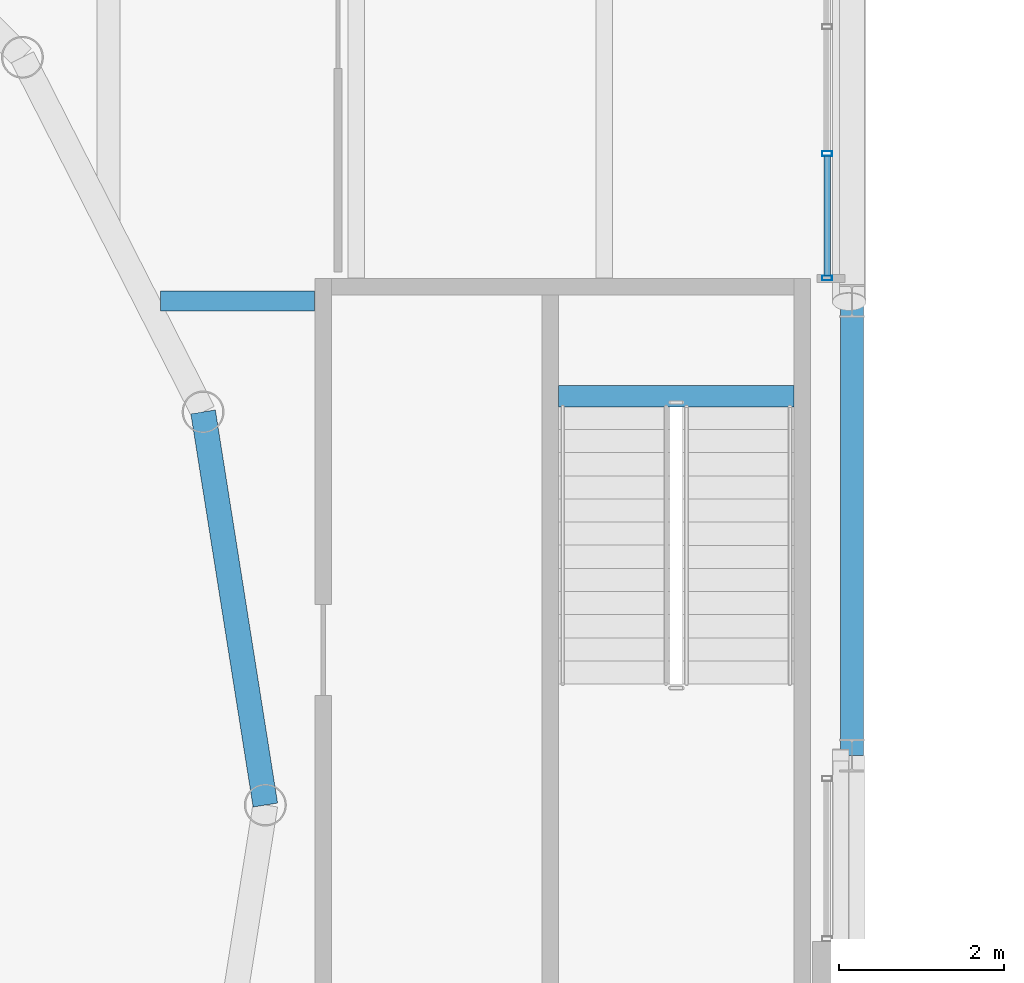
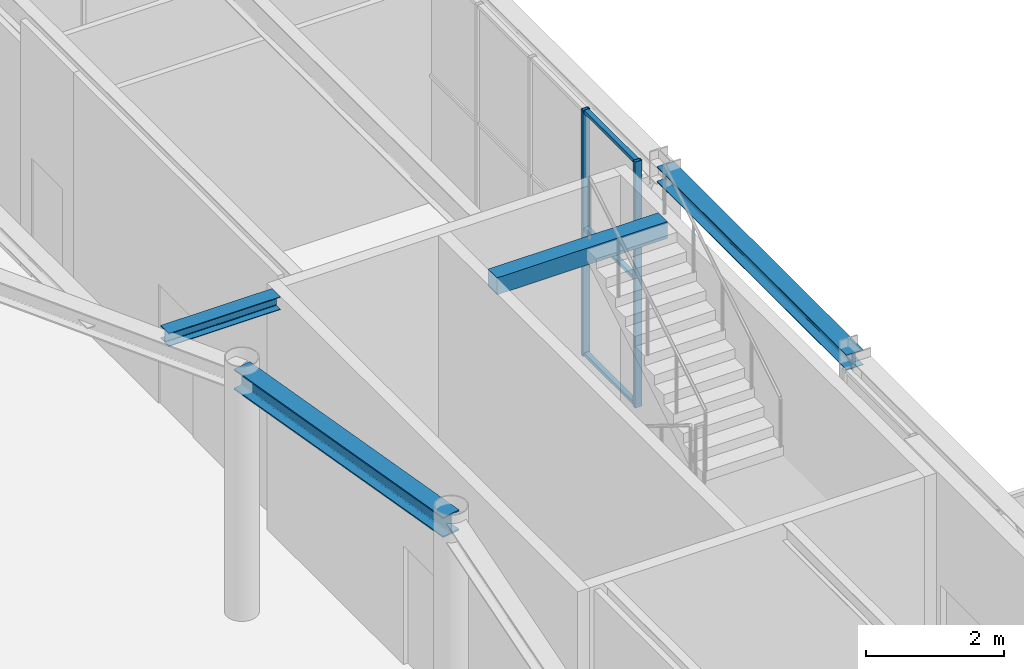
# One storey, part 64 of 149: 5 members, 4 beams, 1 element without a shape of its own.
"""IFC4 building model written with IfcOpenShell, lengths in metres."""

from ifc_helpers import new_model, si_unit, direction, frame, origin, origin_2d, place, context, subcontext, project, spatial, rectangle, hollow_rectangle, i_section, extrude, material, layer, layer_set, material_profile, profile_set, type_object, element, aggregate, save


model = new_model("IFC4")

# Units and contexts
model_context = context("Model", 3, precision=1e-05, world=origin(), true_north=direction((0.0, 1.0)))
body_context = subcontext(model_context, "Body", "Model", "MODEL_VIEW")
ifc_project = project(units=[si_unit("LENGTHUNIT", "METRE"), si_unit("AREAUNIT", "SQUARE_METRE"), si_unit("VOLUMEUNIT", "CUBIC_METRE"), si_unit("PLANEANGLEUNIT", "RADIAN"), si_unit("MASSUNIT", "GRAM", prefix="KILO")], contexts=[model_context])

# Site, building, storey
site_placement = place(None, origin())
site = spatial("IfcSite", under=ifc_project, at=site_placement, CompositionType="ELEMENT")
building_placement = place(site_placement, origin())
building = spatial("IfcBuilding", under=site, at=building_placement, Name="Kallimachos Central Library", CompositionType="ELEMENT")
storey_placement = place(building_placement, frame((0.0, 0.0, 9.89990234375)))
storey = spatial("IfcBuildingStorey", under=building, at=storey_placement, Name="L02", CompositionType="ELEMENT", Elevation=9.89990234375)

# Curtain wall, members
ifc_material_1 = material(Name="Anodised aluminium and laminated glass", Category="aluminium")
ifc_layer = layer(ifc_material_1, 0.159912109375)
ifc_layer_set = layer_set([ifc_layer], Name="Glass box curtain wall")
curtain_wall_type = type_object("IfcCurtainWallType", Name="Glass box curtain wall", PredefinedType="NOTDEFINED", material=ifc_layer_set)
curtain_wall_placement = place(storey_placement, origin())
curtain_wall = element("IfcCurtainWall", 1, at=curtain_wall_placement, inside=storey, type_object=curtain_wall_type, Name="Glass box curtain wall E L02", PredefinedType="NOTDEFINED")
ifc_material_2 = material(Name="Anodised aluminium", Category="aluminium")
ifc_material_profile_1 = material_profile(ifc_material_2, hollow_rectangle(XDim=0.06005859375, YDim=0.1201171875, WallThickness=0.00390625, at=origin_2d()), Name="ALU MULLION 60x120")
ifc_profile_set_1 = profile_set([ifc_material_profile_1], Name="Anodised aluminium")
member_type_1 = type_object("IfcMemberType", Name="Glass box mullion 60x120", PredefinedType="MULLION", material=ifc_profile_set_1)
member_1_placement = place(storey_placement, frame((110.199951171875, 110.780029296875, 0.0), z_axis=(0.0, 0.0, 1.0), x_axis=(0.0, 1.0, 0.0)))
member_1 = element("IfcMember", 2, at=member_1_placement, type_object=member_type_1, Name="CW19 mullion 1", PredefinedType="MULLION", context=body_context, shape_type="SweptSolid", body=[
    extrude(hollow_rectangle(XDim=0.06005859375, YDim=0.1201171875, WallThickness=0.00390625, at=origin_2d()), origin(), (0.0, 0.0, 1.0), 4.35009765625),
])
member_2_placement = place(storey_placement, frame((110.199951171875, 112.28564453125, 0.0), z_axis=(0.0, 0.0, 1.0), x_axis=(0.0, 1.0, 0.0)))
member_2 = element("IfcMember", 3, at=member_2_placement, type_object=member_type_1, Name="CW19 mullion 2", PredefinedType="MULLION", context=body_context, shape_type="SweptSolid", body=[
    extrude(hollow_rectangle(XDim=0.06005859375, YDim=0.1201171875, WallThickness=0.00390625, at=origin_2d()), origin(), (0.0, 0.0, 1.0), 4.35009765625),
])
ifc_material_3 = material(Name="Anodised aluminium", Category="aluminium")
ifc_material_profile_2 = material_profile(ifc_material_3, hollow_rectangle(XDim=0.06005859375, YDim=0.080078125, WallThickness=0.00390625, at=origin_2d()), Name="ALU TRANSOM 60x80")
ifc_profile_set_2 = profile_set([ifc_material_profile_2], Name="Anodised aluminium")
member_type_2 = type_object("IfcMemberType", Name="Glass box transom 60x80", PredefinedType="USERDEFINED", material=ifc_profile_set_2)
member_3_placement = place(storey_placement, frame((110.199951171875, 110.81005859375, 0.030029296875), z_axis=(0.0, 1.0, 0.0), x_axis=(0.0, 0.0, 1.0)))
member_3 = element("IfcMember", 4, at=member_3_placement, type_object=member_type_2, Name="CW19 transom 1.1", ObjectType="TRANSOM", PredefinedType="USERDEFINED", context=body_context, shape_type="SweptSolid", body=[
    extrude(hollow_rectangle(XDim=0.06005859375, YDim=0.080078125, WallThickness=0.00390625, at=origin_2d()), origin(), (0.0, 0.0, 1.0), 1.445556640625),
])
member_4_placement = place(storey_placement, frame((110.199951171875, 110.81005859375, 2.25), z_axis=(0.0, 1.0, 0.0), x_axis=(0.0, 0.0, 1.0)))
member_4 = element("IfcMember", 5, at=member_4_placement, type_object=member_type_2, Name="CW19 transom 1.2", ObjectType="TRANSOM", PredefinedType="USERDEFINED", context=body_context, shape_type="SweptSolid", body=[
    extrude(hollow_rectangle(XDim=0.06005859375, YDim=0.080078125, WallThickness=0.00390625, at=origin_2d()), origin(), (0.0, 0.0, 1.0), 1.445556640625),
])
member_5_placement = place(storey_placement, frame((110.199951171875, 110.81005859375, 4.320068359375), z_axis=(0.0, 1.0, 0.0), x_axis=(0.0, 0.0, 1.0)))
member_5 = element("IfcMember", 6, at=member_5_placement, type_object=member_type_2, Name="CW19 transom 1.3", ObjectType="TRANSOM", PredefinedType="USERDEFINED", context=body_context, shape_type="SweptSolid", body=[
    extrude(hollow_rectangle(XDim=0.06005859375, YDim=0.080078125, WallThickness=0.00390625, at=origin_2d()), origin(), (0.0, 0.0, 1.0), 1.445556640625),
])
aggregate(curtain_wall, [member_1, member_2, member_3, member_4, member_5])

# Beams
ifc_material_4 = material(Name="Steel S355J2", Category="steel")
ifc_material_profile_3 = material_profile(ifc_material_4, i_section(OverallWidth=0.239990234375, OverallDepth=0.22998046875, WebThickness=0.007568359375, FlangeThickness=0.011962890625, FilletRadius=0.02099609375, at=origin_2d()), Name="HEA 240")
ifc_profile_set_3 = profile_set([ifc_material_profile_3], Name="Steel S355J2")
beam_type_1 = type_object("IfcBeamType", Name="HEA 240 beam", PredefinedType="BEAM", material=ifc_profile_set_3)
beam_1_placement = place(storey_placement, frame((102.13134765625, 110.5, 4.235107421875), z_axis=(1.0, 0.0, 0.0), x_axis=(0.0, 1.0, 0.0)))
element("IfcBeam", 7, at=beam_1_placement, inside=storey, type_object=beam_type_1, Name="V1-BEM-L02-043", PredefinedType="BEAM", context=body_context, shape_type="SweptSolid", body=[
    extrude(i_section(OverallWidth=0.239990234375, OverallDepth=0.22998046875, WebThickness=0.007568359375, FlangeThickness=0.011962890625, FilletRadius=0.02099609375, at=origin_2d()), origin(), (0.0, 0.0, 1.0), 1.86376953125),
])
ifc_material_5 = material(Name="Steel S355J2", Category="steel")
ifc_material_profile_4 = material_profile(ifc_material_5, i_section(OverallWidth=0.280029296875, OverallDepth=0.27001953125, WebThickness=0.008056640625, FlangeThickness=0.012939453125, FilletRadius=0.02392578125, at=origin_2d()), Name="HEA 280")
ifc_profile_set_4 = profile_set([ifc_material_profile_4], Name="Steel S355J2")
beam_type_2 = type_object("IfcBeamType", Name="HEA 280 beam", PredefinedType="BEAM", material=ifc_profile_set_4)
beam_2_placement = place(storey_placement, frame((110.5, 105.0, 4.215087890625), z_axis=(0.0, 1.0, 0.0), x_axis=(-1.0, 0.0, 0.0)))
element("IfcBeam", 8, at=beam_2_placement, inside=storey, type_object=beam_type_2, Name="V1-BEM-L02-036", PredefinedType="BEAM", context=body_context, shape_type="SweptSolid", body=[
    extrude(i_section(OverallWidth=0.280029296875, OverallDepth=0.27001953125, WebThickness=0.008056640625, FlangeThickness=0.012939453125, FilletRadius=0.02392578125, at=origin_2d()), origin(), (0.0, 0.0, 1.0), 5.5),
])
ifc_material_6 = material(Name="Steel S355J2", Category="steel")
ifc_material_profile_5 = material_profile(ifc_material_6, i_section(OverallWidth=0.300048828125, OverallDepth=0.360107421875, WebThickness=0.012451171875, FlangeThickness=0.0224609375, FilletRadius=0.027099609375, at=origin_2d()), Name="HEB 360")
ifc_profile_set_5 = profile_set([ifc_material_profile_5], Name="Steel S355J2")
beam_type_3 = type_object("IfcBeamType", Name="HEB 360 beam", PredefinedType="BEAM", material=ifc_profile_set_5)
beam_3_placement = place(storey_placement, frame((103.39990234375, 104.39990234375, 4.170166015625), z_axis=(-0.15641529171, 0.987691377162, 0.0), x_axis=(-0.987691377162, -0.15641529171, 0.0)))
element("IfcBeam", 9, at=beam_3_placement, inside=storey, type_object=beam_type_3, Name="V1-BEM-L02-001", PredefinedType="BEAM", context=body_context, shape_type="SweptSolid", body=[
    extrude(i_section(OverallWidth=0.300048828125, OverallDepth=0.360107421875, WebThickness=0.012451171875, FlangeThickness=0.0224609375, FilletRadius=0.027099609375, at=origin_2d()), origin(), (0.0, 0.0, 1.0), 4.818359375),
])
ifc_material_7 = material(Name="Concrete C30/37", Category="concrete")
ifc_material_profile_6 = material_profile(ifc_material_7, rectangle(XDim=0.260009765625, YDim=0.300048828125, at=origin_2d()), Name="RC stair trimmer beam 260 x 300")
ifc_profile_set_6 = profile_set([ifc_material_profile_6], Name="Concrete C30/37")
beam_type_4 = type_object("IfcBeamType", Name="RC stair trimmer beam 260 x 300", PredefinedType="BEAM", material=ifc_profile_set_6)
beam_4_placement = place(storey_placement, frame((106.949951171875, 109.35107421875, 4.2001953125), z_axis=(1.0, 0.0, 0.0), x_axis=(0.0, 1.0, 0.0)))
element("IfcBeam", 10, at=beam_4_placement, inside=storey, type_object=beam_type_4, Name="Stair trimmer beam ST4 L02", PredefinedType="BEAM", context=body_context, shape_type="SweptSolid", body=[
    extrude(rectangle(XDim=0.260009765625, YDim=0.300048828125, at=origin_2d()), origin(), (0.0, 0.0, 1.0), 2.85009765625),
])

save(model, "model.ifc")
